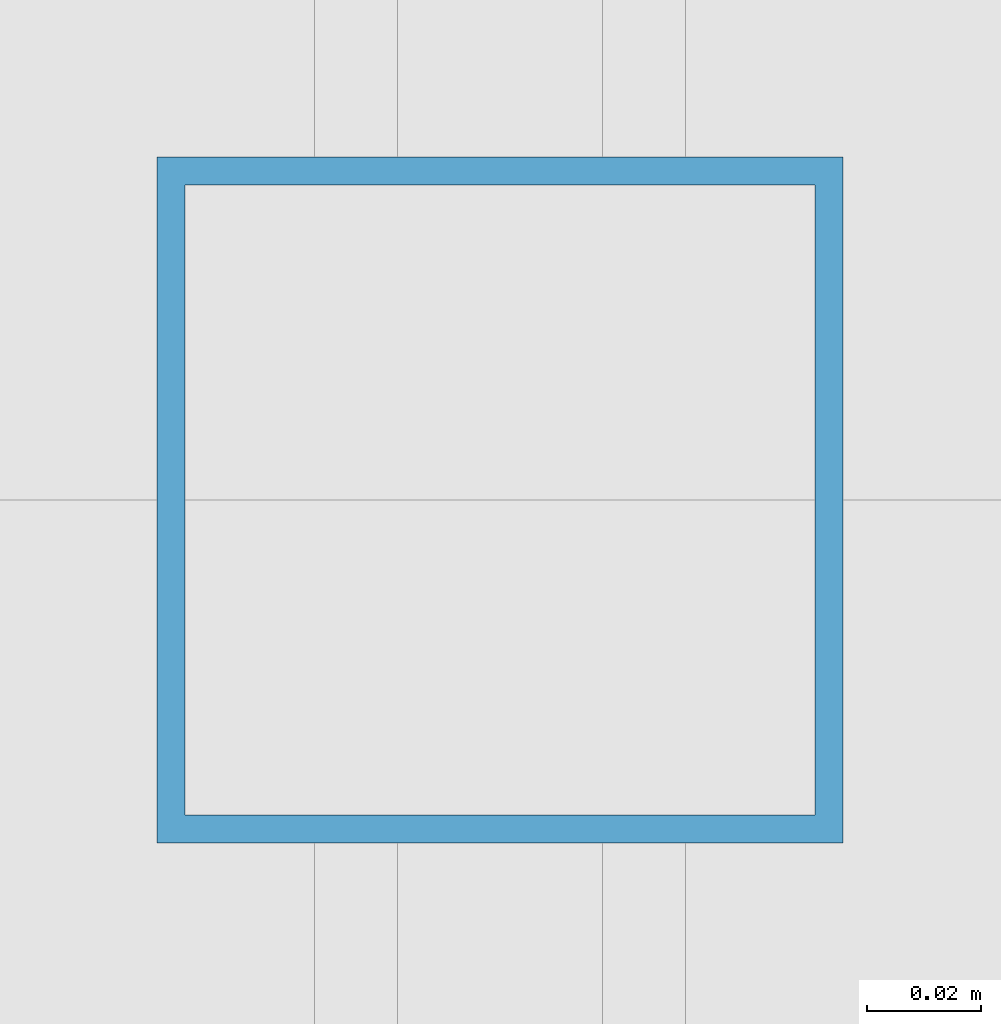
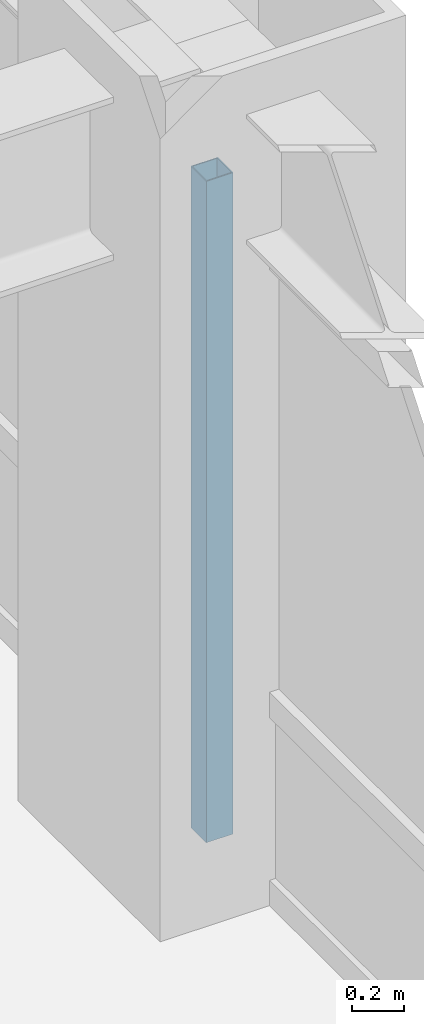
# One storey, part 13 of 35: 1 member, 1 element without a shape of its own.
"""IFC4 building model written with IfcOpenShell, lengths in metres."""

from ifc_helpers import new_model, si_unit, direction, frame, origin, origin_2d, place, context, subcontext, project, spatial, hollow_rectangle, extrude, source, transform, mapped, material, material_profile, profile_set, type_object, element, aggregate, save


model = new_model("IFC4")

# Units and contexts
model_context = context("Model", 3, precision=1e-05, world=origin(), true_north=direction((0.0, 1.0)))
body_context = subcontext(model_context, "Body", "Model", "MODEL_VIEW")
ifc_project = project(units=[si_unit("LENGTHUNIT", "METRE"), si_unit("AREAUNIT", "SQUARE_METRE"), si_unit("VOLUMEUNIT", "CUBIC_METRE"), si_unit("PLANEANGLEUNIT", "RADIAN"), si_unit("MASSUNIT", "GRAM", prefix="KILO")], contexts=[model_context])

# Site, building, storey
site_placement = place(None, origin())
site = spatial("IfcSite", under=ifc_project, at=site_placement, CompositionType="ELEMENT")
building_placement = place(site_placement, origin())
building = spatial("IfcBuilding", under=site, at=building_placement, Name="Khorayat Bourse Tower", CompositionType="ELEMENT")
storey_placement = place(building_placement, frame((0.0, 0.0, 155.10009765625)))
storey = spatial("IfcBuildingStorey", under=building, at=storey_placement, Name="L35", CompositionType="ELEMENT", Elevation=155.10009765625)

# Curtain wall, member
ifc_material = material(Name="Aluminium EN AW-6063 T6", Category="aluminium")
curtain_wall_type = type_object("IfcCurtainWallType", Name="CW-SYS-03", PredefinedType="NOTDEFINED", material=ifc_material)
curtain_wall_placement = place(storey_placement, origin())
curtain_wall = element("IfcCurtainWall", 1, at=curtain_wall_placement, inside=storey, type_object=curtain_wall_type, Name="L35 Curtain Wall CW-L35-E1", PredefinedType="NOTDEFINED")
ifc_material_profile = material_profile(ifc_material, hollow_rectangle(XDim=0.1201171875, YDim=0.1201171875, WallThickness=0.0048828125, at=origin_2d()), Name="ALU 120x120x5")
ifc_profile_set = profile_set([ifc_material_profile], Name="Aluminium EN AW-6063 T6")
member_type = type_object("IfcMemberType", Name="CWM-VERT-120", PredefinedType="MULLION", material=ifc_profile_set)
shared_shape = source(origin(), body_context, "Body", "SweptSolid", [
    extrude(hollow_rectangle(XDim=0.1201171875, YDim=0.1201171875, WallThickness=0.0048828125, at=origin_2d()), origin(), (0.0, 0.0, 1.0), 3.1298828125),
])
member_placement = place(storey_placement, frame((30.0, 0.0, 0.0), z_axis=(0.0, 0.0, 1.0), x_axis=(-1.0, 0.0, 0.0)))
member = element("IfcMember", 2, at=member_placement, type_object=member_type, Name="CW-L35-E1 Vertical Mullion 2", PredefinedType="MULLION", context=body_context, shape_type="MappedRepresentation", body=[
    mapped(shared_shape, transform((0.0, 0.0, 0.0), scale=1.0)),
])
aggregate(curtain_wall, [member])

save(model, "model.ifc")
